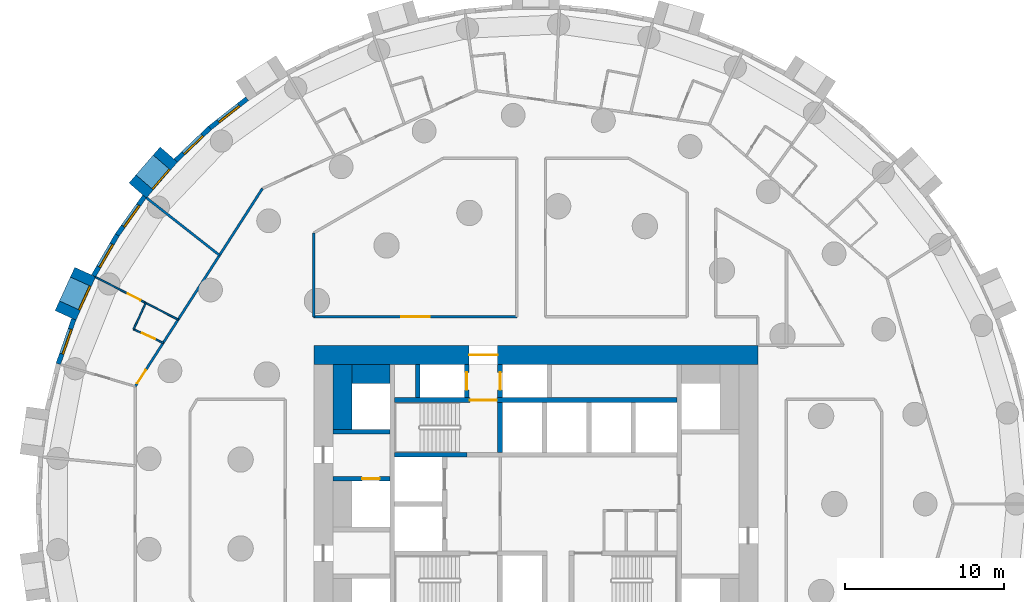
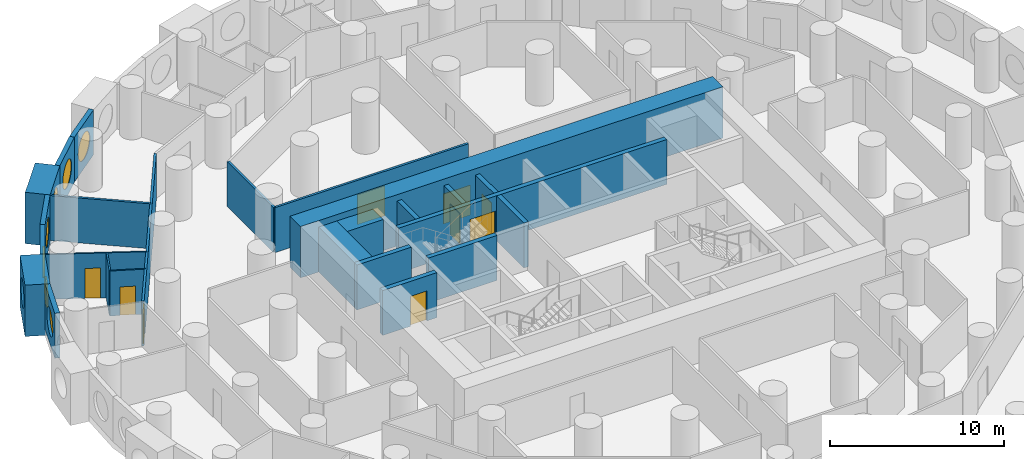
# One storey, part 7 of 12: 26 walls, 9 doors, 7 windows, 16 openings.
"""IFC4 building model written with IfcOpenShell, lengths in metres."""

from ifc_helpers import new_model, si_unit, direction, frame, frame_2d, origin, origin_2d, place, context, subcontext, project, spatial, rectangle, circle, extrude, material, layer, layer_set, type_object, element, fill, save


model = new_model("IFC4")

# Units and contexts
model_context = context("Model", 3, precision=1e-05, world=origin(), true_north=direction((0.0, 1.0)))
body_context = subcontext(model_context, "Body", "Model", "MODEL_VIEW")
ifc_project = project(units=[si_unit("LENGTHUNIT", "METRE"), si_unit("AREAUNIT", "SQUARE_METRE"), si_unit("VOLUMEUNIT", "CUBIC_METRE"), si_unit("PLANEANGLEUNIT", "RADIAN"), si_unit("MASSUNIT", "GRAM", prefix="KILO")], contexts=[model_context])

# Site, building, storey
site_placement = place(None, origin())
site = spatial("IfcSite", under=ifc_project, at=site_placement, CompositionType="ELEMENT")
building_placement = place(site_placement, origin())
building = spatial("IfcBuilding", under=site, at=building_placement, Name="Tracery Tower", CompositionType="ELEMENT")
storey_placement = place(building_placement, frame((0.0, 0.0, 49.800048828125)))
storey = spatial("IfcBuildingStorey", under=building, at=storey_placement, Name="L11", CompositionType="ELEMENT", Elevation=49.800048828125)

# Walls
ifc_material_1 = material(Name="Concrete C60/75", Category="concrete")
ifc_layer_1 = layer(ifc_material_1, 1.199951171875)
ifc_layer_set_1 = layer_set([ifc_layer_1], Name="Core strip wall 1200 C60")
wall_type_1 = type_object("IfcWallType", Name="Core strip wall 1200 C60", PredefinedType="SOLIDWALL", material=ifc_layer_set_1)
wall_1_placement = place(storey_placement, frame((-12.199951171875, 4.699951171875, 0.0), z_axis=(0.0, 0.0, 1.0), x_axis=(0.0, 1.0, 0.0)))
element("IfcWall", 1, at=wall_1_placement, inside=storey, type_object=wall_type_1, Name="L11 wing strip -1 4.55", PredefinedType="SOLIDWALL", context=body_context, shape_type="SweptSolid", body=[
    extrude(rectangle(XDim=4.10009765625, YDim=1.199951171875, at=frame_2d((2.050048828125, 0.0))), origin(), (0.0, 0.0, 1.0), 3.14990234375),
])
wall_2_placement = place(storey_placement, frame((-11.60009765625, 8.199951171875, 0.0), z_axis=(0.0, 0.0, 1.0), x_axis=(1.0, 0.0, 0.0)))
element("IfcWall", 2, at=wall_2_placement, inside=storey, type_object=wall_type_1, Name="L11 wing corner -1 +8.2", PredefinedType="SOLIDWALL", context=body_context, shape_type="SweptSolid", body=[
    extrude(rectangle(XDim=2.400146484375, YDim=1.199951171875, at=frame_2d((1.2001953125, 0.0))), origin(), (0.0, 0.0, 1.0), 3.14990234375),
])

# Wall, opening, door
ifc_material_2 = material(Name="Concrete C60/75", Category="concrete")
ifc_layer_2 = layer(ifc_material_2, 1.199951171875)
ifc_layer_set_2 = layer_set([ifc_layer_2], Name="Core wall 1200 C60")
wall_type_2 = type_object("IfcWallType", Name="Core wall 1200 C60", PredefinedType="SOLIDWALL", material=ifc_layer_set_2)
wall_3_placement = place(storey_placement, frame((-14.0, 9.39990234375, 0.0), z_axis=(0.0, 0.0, 1.0), x_axis=(1.0, 0.0, 0.0)))
wall_3 = element("IfcWall", 3, at=wall_3_placement, inside=storey, type_object=wall_type_2, Name="L11 outer N", PredefinedType="SOLIDWALL", context=body_context, shape_type="SweptSolid", body=[
    extrude(rectangle(XDim=28.0, YDim=1.199951171875, at=frame_2d((14.0, 0.0))), origin(), (0.0, 0.0, 1.0), 3.599853515625),
])
opening_1_placement = place(wall_3_placement, frame((9.800048828125, 0.0, 0.0)))
opening_1 = element("IfcOpeningElement", 4, at=opening_1_placement, cuts=wall_3, Name="Opening KD13", PredefinedType="OPENING", context=body_context, shape_type="SweptSolid", body=[
    extrude(rectangle(XDim=1.800048828125, YDim=2.10009765625, at=frame_2d((0.89990234375, 1.050048828125))), frame((0.0, 0.60009765625, 0.0), z_axis=(0.0, -1.0, 0.0), x_axis=(1.0, 0.0, 0.0)), (0.0, 0.0, 1.0), 1.199951171875),
])
ifc_material_3 = material(Name="Steel fire door", Category="steel")
door_type_1 = type_object("IfcDoorType", Name="Core exit door 1800 double", OperationType="NOTDEFINED", PredefinedType="DOOR", material=ifc_material_3)
door_1_placement = place(opening_1_placement, origin())
door_1 = element("IfcDoor", 5, at=door_1_placement, inside=storey, type_object=door_type_1, Name="Core exit door", OperationType="DOUBLE_DOOR_SINGLE_SWING", OverallHeight=2.10009765625, OverallWidth=1.800048828125, PredefinedType="DOOR", context=body_context, shape_type="SweptSolid", body=[
    extrude(rectangle(XDim=1.800048828125, YDim=2.10009765625, at=frame_2d((0.89990234375, 1.050048828125))), frame((0.0, 0.02490234375, 0.0), z_axis=(0.0, -1.0, 0.0), x_axis=(1.0, 0.0, 0.0)), (0.0, 0.0, 1.0), 0.050048828125),
])
fill(opening_1, door_1)

# Wall, opening, window
ifc_material_4 = material(Name="Precast concrete C50/60", Category="concrete")
ifc_layer_3 = layer(ifc_material_4, 1.449951171875)
ifc_layer_set_3 = layer_set([ifc_layer_3], Name="Deep-set bay unit 3000 x 3600, slab edge 450")
wall_type_3 = type_object("IfcWallType", Name="Deep-set bay unit 3000 x 3600, slab edge 450", PredefinedType="ELEMENTEDWALL", material=ifc_layer_set_3)
wall_4_placement = place(storey_placement, frame((-23.13671875, 22.03271484375, -0.449951171875), z_axis=(0.0, 0.0, 1.0), x_axis=(-0.654890259022, -0.75572398972, 0.0)))
wall_4 = element("IfcWall", 6, at=wall_4_placement, inside=storey, type_object=wall_type_3, Name="Deep-set bay unit 26 at L11", PredefinedType="ELEMENTEDWALL", context=body_context, shape_type="SweptSolid", body=[
    extrude(rectangle(XDim=3.0, YDim=1.449951171875, at=frame_2d((1.5, 0.0))), origin(), (0.0, 0.0, 1.0), 3.599853515625),
])
opening_2_placement = place(wall_4_placement, frame((1.5, 0.0, 2.0)))
opening_2 = element("IfcOpeningElement", 7, at=opening_2_placement, cuts=wall_4, Name="Opening WN1", PredefinedType="OPENING", context=body_context, shape_type="SweptSolid", body=[
    extrude(circle(Radius=0.9000244140625, at=origin_2d()), frame((0.0, 0.73486328125, 0.0), z_axis=(0.0, -1.0, 0.0), x_axis=(1.0, 0.0, 0.0)), (0.0, 0.0, 1.0), 1.469970703125),
])
ifc_material_5 = material(Name="Aluminium frame with tinted double glazing", Category="aluminium")
window_type = type_object("IfcWindowType", Name="Round window 1800", PartitioningType="SINGLE_PANEL", PredefinedType="WINDOW", material=ifc_material_5)
window_1_placement = place(opening_2_placement, origin())
window_1 = element("IfcWindow", 8, at=window_1_placement, inside=storey, type_object=window_type, Name="Round window 26 at L11", OverallHeight=1.800048828125, OverallWidth=1.800048828125, PartitioningType="SINGLE_PANEL", PredefinedType="WINDOW", context=body_context, shape_type="SweptSolid", body=[
    extrude(circle(Radius=0.9000244140625, at=origin_2d()), frame((0.0, 0.69482421875, 0.0), z_axis=(0.0, -1.0, 0.0), x_axis=(1.0, 0.0, 0.0)), (0.0, 0.0, 1.0), 0.10009765625),
])
fill(opening_2, window_1)

wall_5_placement = place(storey_placement, frame((-28.40673828125, 14.6220703125, -0.449951171875), z_axis=(0.0, 0.0, 1.0), x_axis=(-0.415427028395, -0.909626508012, 0.0)))
wall_5 = element("IfcWall", 9, at=wall_5_placement, inside=storey, type_object=wall_type_3, Name="Deep-set bay unit 29 at L11", PredefinedType="ELEMENTEDWALL", context=body_context, shape_type="SweptSolid", body=[
    extrude(rectangle(XDim=3.000244140625, YDim=1.449951171875, at=frame_2d((1.5, 0.0))), origin(), (0.0, 0.0, 1.0), 3.599853515625),
])
opening_3_placement = place(wall_5_placement, frame((1.5, 0.0, 2.0)))
opening_3 = element("IfcOpeningElement", 10, at=opening_3_placement, cuts=wall_5, Name="Opening WN1", PredefinedType="OPENING", context=body_context, shape_type="SweptSolid", body=[
    extrude(circle(Radius=0.9000244140625, at=origin_2d()), frame((0.0, 0.73486328125, 0.0), z_axis=(0.0, -1.0, 0.0), x_axis=(1.0, 0.0, 0.0)), (0.0, 0.0, 1.0), 1.469970703125),
])
window_2_placement = place(opening_3_placement, origin())
window_2 = element("IfcWindow", 11, at=window_2_placement, inside=storey, type_object=window_type, Name="Round window 29 at L11", OverallHeight=1.800048828125, OverallWidth=1.800048828125, PartitioningType="SINGLE_PANEL", PredefinedType="WINDOW", context=body_context, shape_type="SweptSolid", body=[
    extrude(circle(Radius=0.9000244140625, at=origin_2d()), frame((0.0, 0.69482421875, 0.0), z_axis=(0.0, -1.0, 0.0), x_axis=(1.0, 0.0, 0.0)), (0.0, 0.0, 1.0), 0.10009765625),
])
fill(opening_3, window_2)

ifc_material_6 = material(Name="Precast concrete C50/60", Category="concrete")
ifc_layer_4 = layer(ifc_material_6, 0.300048828125)
ifc_layer_set_4 = layer_set([ifc_layer_4], Name="Facade panel 3000 x 3150")
wall_type_4 = type_object("IfcWallType", Name="Facade panel 3000 x 3150", PredefinedType="SOLIDWALL", material=ifc_layer_set_4)
wall_6_placement = place(storey_placement, frame((-18.20361328125, 25.55322265625, 0.0), z_axis=(0.0, 0.0, 1.0), x_axis=(-0.786045331304, -0.618168858108, 0.0)))
wall_6 = element("IfcWall", 12, at=wall_6_placement, inside=storey, type_object=wall_type_4, Name="Facade panel 24 at L11", PredefinedType="SOLIDWALL", context=body_context, shape_type="SweptSolid", body=[
    extrude(rectangle(XDim=2.979736328125, YDim=0.300048828125, at=frame_2d((1.48974609375, 0.0))), origin(), (0.0, 0.0, 1.0), 3.14990234375),
])
opening_4_placement = place(wall_6_placement, frame((1.48974609375, 0.0, 1.5498046875)))
opening_4 = element("IfcOpeningElement", 13, at=opening_4_placement, cuts=wall_6, Name="Opening WN1", PredefinedType="OPENING", context=body_context, shape_type="SweptSolid", body=[
    extrude(circle(Radius=0.9000244140625, at=origin_2d()), frame((0.0, 0.159912109375, 0.0), z_axis=(0.0, -1.0, 0.0), x_axis=(1.0, 0.0, 0.0)), (0.0, 0.0, 1.0), 0.320068359375),
])
window_3_placement = place(opening_4_placement, origin())
window_3 = element("IfcWindow", 14, at=window_3_placement, inside=storey, type_object=window_type, Name="Round window 24 at L11", OverallHeight=1.800048828125, OverallWidth=1.800048828125, PartitioningType="SINGLE_PANEL", PredefinedType="WINDOW", context=body_context, shape_type="SweptSolid", body=[
    extrude(circle(Radius=0.9000244140625, at=origin_2d()), frame((0.0, 0.1201171875, 0.0), z_axis=(0.0, -1.0, 0.0), x_axis=(1.0, 0.0, 0.0)), (0.0, 0.0, 1.0), 0.10009765625),
])
fill(opening_4, window_3)

wall_7_placement = place(storey_placement, frame((-20.5458984375, 23.711181640625, 0.0), z_axis=(0.0, 0.0, 1.0), x_axis=(-0.723744206617, -0.690068346896, 0.0)))
wall_7 = element("IfcWall", 15, at=wall_7_placement, inside=storey, type_object=wall_type_4, Name="Facade panel 25 at L11", PredefinedType="SOLIDWALL", context=body_context, shape_type="SweptSolid", body=[
    extrude(rectangle(XDim=2.979736328125, YDim=0.300048828125, at=frame_2d((1.48974609375, 0.0))), origin(), (0.0, 0.0, 1.0), 3.14990234375),
])
opening_5_placement = place(wall_7_placement, frame((1.48974609375, 0.0, 1.5498046875)))
opening_5 = element("IfcOpeningElement", 16, at=opening_5_placement, cuts=wall_7, Name="Opening WN1", PredefinedType="OPENING", context=body_context, shape_type="SweptSolid", body=[
    extrude(circle(Radius=0.9000244140625, at=origin_2d()), frame((0.0, 0.159912109375, 0.0), z_axis=(0.0, -1.0, 0.0), x_axis=(1.0, 0.0, 0.0)), (0.0, 0.0, 1.0), 0.320068359375),
])
window_4_placement = place(opening_5_placement, origin())
window_4 = element("IfcWindow", 17, at=window_4_placement, inside=storey, type_object=window_type, Name="Round window 25 at L11", OverallHeight=1.800048828125, OverallWidth=1.800048828125, PartitioningType="SINGLE_PANEL", PredefinedType="WINDOW", context=body_context, shape_type="SweptSolid", body=[
    extrude(circle(Radius=0.9000244140625, at=origin_2d()), frame((0.0, 0.1201171875, 0.0), z_axis=(0.0, -1.0, 0.0), x_axis=(1.0, 0.0, 0.0)), (0.0, 0.0, 1.0), 0.10009765625),
])
fill(opening_5, window_4)

wall_8_placement = place(storey_placement, frame((-24.66552734375, 19.389404296875, 0.0), z_axis=(0.0, 0.0, 1.0), x_axis=(-0.580059407678, -0.81457417315, 0.0)))
wall_8 = element("IfcWall", 18, at=wall_8_placement, inside=storey, type_object=wall_type_4, Name="Facade panel 27 at L11", PredefinedType="SOLIDWALL", context=body_context, shape_type="SweptSolid", body=[
    extrude(rectangle(XDim=2.9794921875, YDim=0.300048828125, at=frame_2d((1.48974609375, 0.0))), origin(), (0.0, 0.0, 1.0), 3.14990234375),
])
opening_6_placement = place(wall_8_placement, frame((1.48974609375, 0.0, 1.5498046875)))
opening_6 = element("IfcOpeningElement", 19, at=opening_6_placement, cuts=wall_8, Name="Opening WN1", PredefinedType="OPENING", context=body_context, shape_type="SweptSolid", body=[
    extrude(circle(Radius=0.9000244140625, at=origin_2d()), frame((0.0, 0.159912109375, 0.0), z_axis=(0.0, -1.0, 0.0), x_axis=(1.0, 0.0, 0.0)), (0.0, 0.0, 1.0), 0.320068359375),
])
window_5_placement = place(opening_6_placement, origin())
window_5 = element("IfcWindow", 20, at=window_5_placement, inside=storey, type_object=window_type, Name="Round window 27 at L11", OverallHeight=1.800048828125, OverallWidth=1.800048828125, PartitioningType="SINGLE_PANEL", PredefinedType="WINDOW", context=body_context, shape_type="SweptSolid", body=[
    extrude(circle(Radius=0.9000244140625, at=origin_2d()), frame((0.0, 0.1201171875, 0.0), z_axis=(0.0, -1.0, 0.0), x_axis=(1.0, 0.0, 0.0)), (0.0, 0.0, 1.0), 0.10009765625),
])
fill(opening_6, window_5)

wall_9_placement = place(storey_placement, frame((-26.393798828125, 16.96240234375, 0.0), z_axis=(0.0, 0.0, 1.0), x_axis=(-0.500025049464, -0.866010940986, 0.0)))
wall_9 = element("IfcWall", 21, at=wall_9_placement, inside=storey, type_object=wall_type_4, Name="Facade panel 28 at L11", PredefinedType="SOLIDWALL", context=body_context, shape_type="SweptSolid", body=[
    extrude(rectangle(XDim=2.979736328125, YDim=0.300048828125, at=frame_2d((1.48974609375, 0.0))), origin(), (0.0, 0.0, 1.0), 3.14990234375),
])
opening_7_placement = place(wall_9_placement, frame((1.48974609375, 0.0, 1.5498046875)))
opening_7 = element("IfcOpeningElement", 22, at=opening_7_placement, cuts=wall_9, Name="Opening WN1", PredefinedType="OPENING", context=body_context, shape_type="SweptSolid", body=[
    extrude(circle(Radius=0.9000244140625, at=origin_2d()), frame((0.0, 0.159912109375, 0.0), z_axis=(0.0, -1.0, 0.0), x_axis=(1.0, 0.0, 0.0)), (0.0, 0.0, 1.0), 0.320068359375),
])
window_6_placement = place(opening_7_placement, origin())
window_6 = element("IfcWindow", 23, at=window_6_placement, inside=storey, type_object=window_type, Name="Round window 28 at L11", OverallHeight=1.800048828125, OverallWidth=1.800048828125, PartitioningType="SINGLE_PANEL", PredefinedType="WINDOW", context=body_context, shape_type="SweptSolid", body=[
    extrude(circle(Radius=0.9000244140625, at=origin_2d()), frame((0.0, 0.1201171875, 0.0), z_axis=(0.0, -1.0, 0.0), x_axis=(1.0, 0.0, 0.0)), (0.0, 0.0, 1.0), 0.10009765625),
])
fill(opening_7, window_6)

wall_10_placement = place(storey_placement, frame((-29.12890625, 11.655029296875, 0.0), z_axis=(0.0, 0.0, 1.0), x_axis=(-0.327071167136, -0.944999709856, 0.0)))
wall_10 = element("IfcWall", 24, at=wall_10_placement, inside=storey, type_object=wall_type_4, Name="Facade panel 30 at L11", PredefinedType="SOLIDWALL", context=body_context, shape_type="SweptSolid", body=[
    extrude(rectangle(XDim=2.979736328125, YDim=0.300048828125, at=frame_2d((1.48974609375, 0.0))), origin(), (0.0, 0.0, 1.0), 3.14990234375),
])
opening_8_placement = place(wall_10_placement, frame((1.48974609375, 0.0, 1.5498046875)))
opening_8 = element("IfcOpeningElement", 25, at=opening_8_placement, cuts=wall_10, Name="Opening WN1", PredefinedType="OPENING", context=body_context, shape_type="SweptSolid", body=[
    extrude(circle(Radius=0.9000244140625, at=origin_2d()), frame((0.0, 0.159912109375, 0.0), z_axis=(0.0, -1.0, 0.0), x_axis=(1.0, 0.0, 0.0)), (0.0, 0.0, 1.0), 0.320068359375),
])
window_7_placement = place(opening_8_placement, origin())
window_7 = element("IfcWindow", 26, at=window_7_placement, inside=storey, type_object=window_type, Name="Round window 30 at L11", OverallHeight=1.800048828125, OverallWidth=1.800048828125, PartitioningType="SINGLE_PANEL", PredefinedType="WINDOW", context=body_context, shape_type="SweptSolid", body=[
    extrude(circle(Radius=0.9000244140625, at=origin_2d()), frame((0.0, 0.1201171875, 0.0), z_axis=(0.0, -1.0, 0.0), x_axis=(1.0, 0.0, 0.0)), (0.0, 0.0, 1.0), 0.10009765625),
])
fill(opening_8, window_7)

# Wall, opening, door
ifc_material_7 = material(Name="Plasterboard on steel studs", Category="steel")
ifc_layer_5 = layer(ifc_material_7, 0.10009765625)
ifc_layer_set_5 = layer_set([ifc_layer_5], Name="Partition 100 stud")
wall_type_5 = type_object("IfcWallType", Name="Partition 100 stud", PredefinedType="PARTITIONING", material=ifc_layer_set_5)
wall_11_placement = place(storey_placement, frame((-27.7529296875, 14.30810546875, 0.0), z_axis=(0.0, 0.0, 1.0), x_axis=(0.888816732692, -0.45826282381, 0.0)))
wall_11 = element("IfcWall", 27, at=wall_11_placement, inside=storey, type_object=wall_type_5, Name="Stud partition RA3-087", PredefinedType="PARTITIONING", context=body_context, shape_type="SweptSolid", body=[
    extrude(rectangle(XDim=3.55078125, YDim=0.10009765625, at=frame_2d((1.775390625, 0.0))), origin(), (0.0, 0.0, 1.0), 3.14990234375),
])
opening_9_placement = place(wall_11_placement, frame((2.27490234375, 0.0, 0.0)))
opening_9 = element("IfcOpeningElement", 28, at=opening_9_placement, cuts=wall_11, Name="Opening RA3-29", PredefinedType="OPENING", context=body_context, shape_type="SweptSolid", body=[
    extrude(rectangle(XDim=0.89990234375, YDim=2.10009765625, at=frame_2d((0.449951171875, 1.050048828125))), frame((0.0, 0.050048828125, 0.0), z_axis=(0.0, -1.0, 0.0), x_axis=(1.0, 0.0, 0.0)), (0.0, 0.0, 1.0), 0.10009765625),
])
ifc_material_8 = material(Name="Timber door leaf", Category="wood")
door_type_2 = type_object("IfcDoorType", Name="Door bedroom 900", OperationType="NOTDEFINED", PredefinedType="DOOR", material=ifc_material_8)
door_2_placement = place(opening_9_placement, origin())
door_2 = element("IfcDoor", 29, at=door_2_placement, inside=storey, type_object=door_type_2, Name="Bedroom door RA3-29", OperationType="SINGLE_SWING_RIGHT", OverallHeight=2.10009765625, OverallWidth=0.89990234375, PredefinedType="DOOR", context=body_context, shape_type="SweptSolid", body=[
    extrude(rectangle(XDim=0.89990234375, YDim=2.10009765625, at=frame_2d((0.449951171875, 1.050048828125))), frame((0.0, 0.02490234375, 0.0), z_axis=(0.0, -1.0, 0.0), x_axis=(1.0, 0.0, 0.0)), (0.0, 0.0, 1.0), 0.050048828125),
])
fill(opening_9, door_2)

# Wall
ifc_material_9 = material(Name="Plasterboard on steel studs", Category="steel")
ifc_layer_6 = layer(ifc_material_9, 0.10009765625)
ifc_layer_set_6 = layer_set([ifc_layer_6], Name="Partition 100 wet wall")
wall_type_6 = type_object("IfcWallType", Name="Partition 100 wet wall", PredefinedType="PARTITIONING", material=ifc_layer_set_6)
wall_12_placement = place(storey_placement, frame((-25.35791015625, 11.014892578125, 0.0), z_axis=(0.0, 0.0, 1.0), x_axis=(0.415479380762, 0.909602596831, 0.0)))
element("IfcWall", 30, at=wall_12_placement, inside=storey, type_object=wall_type_6, Name="Wet wall RA3-089", PredefinedType="PARTITIONING", context=body_context, shape_type="SweptSolid", body=[
    extrude(rectangle(XDim=1.83154296875, YDim=0.10009765625, at=frame_2d((0.915771484375, 0.0))), origin(), (0.0, 0.0, 1.0), 3.14990234375),
])

# Wall, opening, door
wall_13_placement = place(storey_placement, frame((-25.35791015625, 11.014892578125, 0.0), z_axis=(0.0, 0.0, 1.0), x_axis=(0.909620690235, -0.415439766868, 0.0)))
wall_13 = element("IfcWall", 31, at=wall_13_placement, inside=storey, type_object=wall_type_6, Name="Wet wall RA3-090", PredefinedType="PARTITIONING", context=body_context, shape_type="SweptSolid", body=[
    extrude(rectangle(XDim=2.0556640625, YDim=0.10009765625, at=frame_2d((1.02783203125, 0.0))), origin(), (0.0, 0.0, 1.0), 3.14990234375),
])
opening_10_placement = place(wall_13_placement, frame((0.577880859375, 0.0, 0.0)))
opening_10 = element("IfcOpeningElement", 32, at=opening_10_placement, cuts=wall_13, Name="Opening RA3-31", PredefinedType="OPENING", context=body_context, shape_type="SweptSolid", body=[
    extrude(rectangle(XDim=0.89990234375, YDim=2.0, at=frame_2d((0.449951171875, 1.0))), frame((0.0, 0.050048828125, 0.0), z_axis=(0.0, -1.0, 0.0), x_axis=(1.0, 0.0, 0.0)), (0.0, 0.0, 1.0), 0.10009765625),
])
ifc_material_10 = material(Name="Timber door leaf", Category="wood")
door_type_3 = type_object("IfcDoorType", Name="Door shower room 900", OperationType="NOTDEFINED", PredefinedType="DOOR", material=ifc_material_10)
door_3_placement = place(opening_10_placement, origin())
door_3 = element("IfcDoor", 33, at=door_3_placement, inside=storey, type_object=door_type_3, Name="Shower room door RA3-31", OperationType="SINGLE_SWING_RIGHT", OverallHeight=2.0, OverallWidth=0.89990234375, PredefinedType="DOOR", context=body_context, shape_type="SweptSolid", body=[
    extrude(rectangle(XDim=0.89990234375, YDim=2.0, at=frame_2d((0.449951171875, 1.0))), frame((0.0, 0.02490234375, 0.0), z_axis=(0.0, -1.0, 0.0), x_axis=(1.0, 0.0, 0.0)), (0.0, 0.0, 1.0), 0.050048828125),
])
fill(opening_10, door_3)

# Walls
wall_14_placement = place(storey_placement, frame((-24.60107421875, 12.68310546875, 0.0), z_axis=(0.0, 0.0, 1.0), x_axis=(0.888712343697, -0.458465233317, 0.0)))
element("IfcWall", 34, at=wall_14_placement, inside=storey, type_object=wall_type_6, Name="Wet wall RA3-091", PredefinedType="PARTITIONING", context=body_context, shape_type="SweptSolid", body=[
    extrude(rectangle(XDim=2.31005859375, YDim=0.10009765625, at=frame_2d((1.155029296875, 0.0))), origin(), (0.0, 0.0, 1.0), 3.14990234375),
])
ifc_material_11 = material(Name="Plasterboard on steel studs", Category="steel")
ifc_layer_7 = layer(ifc_material_11, 0.14990234375)
ifc_layer_set_7 = layer_set([ifc_layer_7], Name="Partition 150 acoustic unit wall")
wall_type_7 = type_object("IfcWallType", Name="Partition 150 acoustic unit wall", PredefinedType="PARTITIONING", material=ifc_layer_set_7)
wall_15_placement = place(storey_placement, frame((-24.5439453125, 19.302001953125, 0.0), z_axis=(0.0, 0.0, 1.0), x_axis=(0.786014513829, -0.618208042693, 0.0)))
element("IfcWall", 35, at=wall_15_placement, inside=storey, type_object=wall_type_7, Name="Unit wall RA3-086", PredefinedType="PARTITIONING", context=body_context, shape_type="SweptSolid", body=[
    extrude(rectangle(XDim=5.857421875, YDim=0.14990234375, at=frame_2d((2.9287109375, 0.0))), origin(), (0.0, 0.0, 1.0), 3.14990234375),
])

# Wall, opening, door
ifc_material_12 = material(Name="Plasterboard on steel studs", Category="steel")
ifc_layer_8 = layer(ifc_material_12, 0.14990234375)
ifc_layer_set_8 = layer_set([ifc_layer_8], Name="Partition 150 corridor wall")
wall_type_8 = type_object("IfcWallType", Name="Partition 150 corridor wall", PredefinedType="PARTITIONING", material=ifc_layer_set_8)
wall_16_placement = place(storey_placement, frame((-14.00390625, 11.800048828125, 0.0), z_axis=(0.0, 0.0, 1.0), x_axis=(1.0, 0.0, 0.0)))
wall_16 = element("IfcWall", 36, at=wall_16_placement, inside=storey, type_object=wall_type_8, Name="Corridor wall RA3-001", PredefinedType="PARTITIONING", context=body_context, shape_type="SweptSolid", body=[
    extrude(rectangle(XDim=12.81591796875, YDim=0.14990234375, at=frame_2d((6.407958984375, 0.0))), origin(), (0.0, 0.0, 1.0), 3.14990234375),
])
opening_11_placement = place(wall_16_placement, frame((5.508056640625, 0.0, 0.0)))
opening_11 = element("IfcOpeningElement", 37, at=opening_11_placement, cuts=wall_16, Name="Opening RA3-01", PredefinedType="OPENING", context=body_context, shape_type="SweptSolid", body=[
    extrude(rectangle(XDim=1.800048828125, YDim=2.10009765625, at=frame_2d((0.89990234375, 1.050048828125))), frame((0.0, 0.074951171875, 0.0), z_axis=(0.0, -1.0, 0.0), x_axis=(1.0, 0.0, 0.0)), (0.0, 0.0, 1.0), 0.14990234375),
])
ifc_material_13 = material(Name="Timber door leaf", Category="wood")
door_type_4 = type_object("IfcDoorType", Name="Door double lounge 1800", OperationType="NOTDEFINED", PredefinedType="DOOR", material=ifc_material_13)
door_4_placement = place(opening_11_placement, origin())
door_4 = element("IfcDoor", 38, at=door_4_placement, inside=storey, type_object=door_type_4, Name="Double lounge door RA3-01", OperationType="DOUBLE_DOOR_SINGLE_SWING", OverallHeight=2.10009765625, OverallWidth=1.800048828125, PredefinedType="DOOR", context=body_context, shape_type="SweptSolid", body=[
    extrude(rectangle(XDim=1.800048828125, YDim=2.10009765625, at=frame_2d((0.89990234375, 1.050048828125))), frame((0.0, 0.02490234375, 0.0), z_axis=(0.0, -1.0, 0.0), x_axis=(1.0, 0.0, 0.0)), (0.0, 0.0, 1.0), 0.050048828125),
])
fill(opening_11, door_4)

# Wall
wall_17_placement = place(storey_placement, frame((-14.0, 11.800048828125, 0.0), z_axis=(0.0, 0.0, 1.0), x_axis=(0.0, 1.0, 0.0)))
element("IfcWall", 39, at=wall_17_placement, inside=storey, type_object=wall_type_8, Name="Corridor wall RA3-028", PredefinedType="PARTITIONING", context=body_context, shape_type="SweptSolid", body=[
    extrude(rectangle(XDim=5.2919921875, YDim=0.14990234375, at=frame_2d((2.64599609375, 0.0))), origin(), (0.0, 0.0, 1.0), 3.14990234375),
])

# Wall, opening, door
wall_18_placement = place(storey_placement, frame((-25.2548828125, 7.416259765625, 0.0), z_axis=(0.0, 0.0, 1.0), x_axis=(0.540805851332, 0.841147449123, 0.0)))
wall_18 = element("IfcWall", 40, at=wall_18_placement, inside=storey, type_object=wall_type_8, Name="Corridor wall RA3-037", PredefinedType="PARTITIONING", context=body_context, shape_type="SweptSolid", body=[
    extrude(rectangle(XDim=14.829345703125, YDim=0.14990234375, at=frame_2d((7.41455078125, 0.0))), origin(), (0.0, 0.0, 1.0), 3.14990234375),
])
opening_12_placement = place(wall_18_placement, frame((0.23388671875, 0.0, 0.0)))
opening_12 = element("IfcOpeningElement", 41, at=opening_12_placement, cuts=wall_18, Name="Opening RA3-32", PredefinedType="OPENING", context=body_context, shape_type="SweptSolid", body=[
    extrude(rectangle(XDim=1.0, YDim=2.10009765625, at=frame_2d((0.5, 1.050048828125))), frame((0.0, 0.074951171875, 0.0), z_axis=(0.0, -1.0, 0.0), x_axis=(1.0, 0.0, 0.0)), (0.0, 0.0, 1.0), 0.14990234375),
])
ifc_material_14 = material(Name="Timber door leaf", Category="wood")
door_type_5 = type_object("IfcDoorType", Name="Door unit entrance 1000", OperationType="NOTDEFINED", PredefinedType="DOOR", material=ifc_material_14)
door_5_placement = place(opening_12_placement, origin())
door_5 = element("IfcDoor", 42, at=door_5_placement, inside=storey, type_object=door_type_5, Name="Unit entrance door RA3-32", OperationType="SINGLE_SWING_LEFT", OverallHeight=2.10009765625, OverallWidth=1.0, PredefinedType="DOOR", context=body_context, shape_type="SweptSolid", body=[
    extrude(rectangle(XDim=1.0, YDim=2.10009765625, at=frame_2d((0.5, 1.050048828125))), frame((0.0, 0.02490234375, 0.0), z_axis=(0.0, -1.0, 0.0), x_axis=(1.0, 0.0, 0.0)), (0.0, 0.0, 1.0), 0.050048828125),
])
fill(opening_12, door_5)

# Wall
ifc_material_15 = material(Name="Concrete C60/75", Category="concrete")
ifc_layer_9 = layer(ifc_material_15, 0.300048828125)
ifc_layer_set_9 = layer_set([ifc_layer_9], Name="Shaft wall 300 C60")
wall_type_9 = type_object("IfcWallType", Name="Shaft wall 300 C60", PredefinedType="SOLIDWALL", material=ifc_layer_set_9)
wall_19_placement = place(storey_placement, frame((-7.449951171875, 6.699951171875, 0.0), z_axis=(0.0, 0.0, 1.0), x_axis=(0.0, 1.0, 0.0)))
element("IfcWall", 43, at=wall_19_placement, inside=storey, type_object=wall_type_9, Name="L11 LR sep -7.45", PredefinedType="SOLIDWALL", context=body_context, shape_type="SweptSolid", body=[
    extrude(rectangle(XDim=2.10009765625, YDim=0.300048828125, at=frame_2d((1.050048828125, 0.0))), origin(), (0.0, 0.0, 1.0), 3.14990234375),
])

# Wall, opening, door
wall_20_placement = place(storey_placement, frame((-4.35009765625, 6.699951171875, 0.0), z_axis=(0.0, 0.0, 1.0), x_axis=(0.0, 1.0, 0.0)))
wall_20 = element("IfcWall", 44, at=wall_20_placement, inside=storey, type_object=wall_type_9, Name="L11 LR sep -4.35", PredefinedType="SOLIDWALL", context=body_context, shape_type="SweptSolid", body=[
    extrude(rectangle(XDim=2.10009765625, YDim=0.300048828125, at=frame_2d((1.050048828125, 0.0))), origin(), (0.0, 0.0, 1.0), 3.14990234375),
])
opening_13_placement = place(wall_20_placement, frame((0.5, 0.0, 0.0)))
opening_13 = element("IfcOpeningElement", 45, at=opening_13_placement, cuts=wall_20, Name="Opening KD50", PredefinedType="OPENING", context=body_context, shape_type="SweptSolid", body=[
    extrude(rectangle(XDim=1.10009765625, YDim=2.10009765625, at=frame_2d((0.550048828125, 1.050048828125))), frame((0.0, 0.14990234375, 0.0), z_axis=(0.0, -1.0, 0.0), x_axis=(1.0, 0.0, 0.0)), (0.0, 0.0, 1.0), 0.300048828125),
])
ifc_material_16 = material(Name="Steel fire door", Category="steel")
door_type_6 = type_object("IfcDoorType", Name="Landing door 1100", OperationType="NOTDEFINED", PredefinedType="DOOR", material=ifc_material_16)
door_6_placement = place(opening_13_placement, origin())
door_6 = element("IfcDoor", 46, at=door_6_placement, inside=storey, type_object=door_type_6, Name="Landing door LR3", OperationType="SLIDING_TO_RIGHT", OverallHeight=2.10009765625, OverallWidth=1.10009765625, PredefinedType="DOOR", context=body_context, shape_type="SweptSolid", body=[
    extrude(rectangle(XDim=1.10009765625, YDim=2.10009765625, at=frame_2d((0.550048828125, 1.050048828125))), frame((0.0, 0.02490234375, 0.0), z_axis=(0.0, -1.0, 0.0), x_axis=(1.0, 0.0, 0.0)), (0.0, 0.0, 1.0), 0.050048828125),
])
fill(opening_13, door_6)

# Wall
wall_21_placement = place(storey_placement, frame((-12.800048828125, 4.550048828125, 0.0), z_axis=(0.0, 0.0, 1.0), x_axis=(1.0, 0.0, 0.0)))
element("IfcWall", 47, at=wall_21_placement, inside=storey, type_object=wall_type_9, Name="L11 wing shaft wall -1 +4.55", PredefinedType="SOLIDWALL", context=body_context, shape_type="SweptSolid", body=[
    extrude(rectangle(XDim=3.60009765625, YDim=0.300048828125, at=frame_2d((1.800048828125, 0.0))), origin(), (0.0, 0.0, 1.0), 3.14990234375),
])

# Wall, opening, door
wall_22_placement = place(storey_placement, frame((-12.800048828125, 1.60009765625, 0.0), z_axis=(0.0, 0.0, 1.0), x_axis=(1.0, 0.0, 0.0)))
wall_22 = element("IfcWall", 48, at=wall_22_placement, inside=storey, type_object=wall_type_9, Name="L11 wing shaft wall -1 +1.60", PredefinedType="SOLIDWALL", context=body_context, shape_type="SweptSolid", body=[
    extrude(rectangle(XDim=3.60009765625, YDim=0.300048828125, at=frame_2d((1.800048828125, 0.0))), origin(), (0.0, 0.0, 1.0), 3.14990234375),
])
opening_14_placement = place(wall_22_placement, frame((1.85009765625, 0.0, 0.0)))
opening_14 = element("IfcOpeningElement", 49, at=opening_14_placement, cuts=wall_22, Name="Opening KD50", PredefinedType="OPENING", context=body_context, shape_type="SweptSolid", body=[
    extrude(rectangle(XDim=1.10009765625, YDim=2.10009765625, at=frame_2d((0.550048828125, 1.050048828125))), frame((0.0, 0.14990234375, 0.0), z_axis=(0.0, -1.0, 0.0), x_axis=(1.0, 0.0, 0.0)), (0.0, 0.0, 1.0), 0.300048828125),
])
door_7_placement = place(opening_14_placement, origin())
door_7 = element("IfcDoor", 50, at=door_7_placement, inside=storey, type_object=door_type_6, Name="Landing door LR1", OperationType="SLIDING_TO_RIGHT", OverallHeight=2.10009765625, OverallWidth=1.10009765625, PredefinedType="DOOR", context=body_context, shape_type="SweptSolid", body=[
    extrude(rectangle(XDim=1.10009765625, YDim=2.10009765625, at=frame_2d((0.550048828125, 1.050048828125))), frame((0.0, 0.02490234375, 0.0), z_axis=(0.0, -1.0, 0.0), x_axis=(1.0, 0.0, 0.0)), (0.0, 0.0, 1.0), 0.050048828125),
])
fill(opening_14, door_7)

# Walls
ifc_material_17 = material(Name="Concrete C60/75", Category="concrete")
ifc_layer_10 = layer(ifc_material_17, 0.300048828125)
ifc_layer_set_10 = layer_set([ifc_layer_10], Name="Stair wall 300 C60")
wall_type_10 = type_object("IfcWallType", Name="Stair wall 300 C60", PredefinedType="SOLIDWALL", material=ifc_layer_set_10)
wall_23_placement = place(storey_placement, frame((-8.89990234375, 3.10009765625, 0.0), z_axis=(0.0, 0.0, 1.0), x_axis=(1.0, 0.0, 0.0)))
element("IfcWall", 51, at=wall_23_placement, inside=storey, type_object=wall_type_10, Name="L11 row N W", PredefinedType="SOLIDWALL", context=body_context, shape_type="SweptSolid", body=[
    extrude(rectangle(XDim=4.5498046875, YDim=0.300048828125, at=frame_2d((2.27490234375, 0.0))), origin(), (0.0, 0.0, 1.0), 3.14990234375),
])
wall_24_placement = place(storey_placement, frame((-2.25, 3.25, 0.0), z_axis=(0.0, 0.0, 1.0), x_axis=(0.0, 1.0, 0.0)))
element("IfcWall", 52, at=wall_24_placement, inside=storey, type_object=wall_type_10, Name="L11 ST3 E", PredefinedType="SOLIDWALL", context=body_context, shape_type="SweptSolid", body=[
    extrude(rectangle(XDim=3.14990234375, YDim=0.300048828125, at=frame_2d((1.574951171875, 0.0))), origin(), (0.0, 0.0, 1.0), 3.14990234375),
])

# Wall, opening, door
wall_25_placement = place(storey_placement, frame((-8.89990234375, 6.550048828125, 0.0), z_axis=(0.0, 0.0, 1.0), x_axis=(1.0, 0.0, 0.0)))
wall_25 = element("IfcWall", 53, at=wall_25_placement, inside=storey, type_object=wall_type_10, Name="L11 F N", PredefinedType="SOLIDWALL", context=body_context, shape_type="SweptSolid", body=[
    extrude(rectangle(XDim=17.7998046875, YDim=0.300048828125, at=frame_2d((8.89990234375, 0.0))), origin(), (0.0, 0.0, 1.0), 3.14990234375),
])
opening_15_placement = place(wall_25_placement, frame((4.75, 0.0, 0.0)))
opening_15 = element("IfcOpeningElement", 54, at=opening_15_placement, cuts=wall_25, Name="Opening KD3", PredefinedType="OPENING", context=body_context, shape_type="SweptSolid", body=[
    extrude(rectangle(XDim=1.699951171875, YDim=2.10009765625, at=frame_2d((0.85009765625, 1.050048828125))), frame((0.0, 0.14990234375, 0.0), z_axis=(0.0, -1.0, 0.0), x_axis=(1.0, 0.0, 0.0)), (0.0, 0.0, 1.0), 0.300048828125),
])
ifc_material_18 = material(Name="Steel fire door", Category="steel")
door_type_7 = type_object("IfcDoorType", Name="Core stair door 1700 double", OperationType="NOTDEFINED", PredefinedType="DOOR", material=ifc_material_18)
door_8_placement = place(opening_15_placement, origin())
door_8 = element("IfcDoor", 55, at=door_8_placement, inside=storey, type_object=door_type_7, Name="Stair door ST3 N", OperationType="DOUBLE_DOOR_SINGLE_SWING", OverallHeight=2.10009765625, OverallWidth=1.699951171875, PredefinedType="DOOR", context=body_context, shape_type="SweptSolid", body=[
    extrude(rectangle(XDim=1.699951171875, YDim=2.10009765625, at=frame_2d((0.85009765625, 1.050048828125))), frame((0.0, 0.02490234375, 0.0), z_axis=(0.0, -1.0, 0.0), x_axis=(1.0, 0.0, 0.0)), (0.0, 0.0, 1.0), 0.050048828125),
])
fill(opening_15, door_8)

wall_26_placement = place(storey_placement, frame((-2.25, 6.699951171875, 0.0), z_axis=(0.0, 0.0, 1.0), x_axis=(0.0, 1.0, 0.0)))
wall_26 = element("IfcWall", 56, at=wall_26_placement, inside=storey, type_object=wall_type_10, Name="L11 ST3 E out", PredefinedType="SOLIDWALL", context=body_context, shape_type="SweptSolid", body=[
    extrude(rectangle(XDim=2.10009765625, YDim=0.300048828125, at=frame_2d((1.050048828125, 0.0))), origin(), (0.0, 0.0, 1.0), 3.14990234375),
])
opening_16_placement = place(wall_26_placement, frame((0.5, 0.0, 0.0)))
opening_16 = element("IfcOpeningElement", 57, at=opening_16_placement, cuts=wall_26, Name="Opening KD49", PredefinedType="OPENING", context=body_context, shape_type="SweptSolid", body=[
    extrude(rectangle(XDim=1.10009765625, YDim=2.10009765625, at=frame_2d((0.550048828125, 1.050048828125))), frame((0.0, 0.14990234375, 0.0), z_axis=(0.0, -1.0, 0.0), x_axis=(1.0, 0.0, 0.0)), (0.0, 0.0, 1.0), 0.300048828125),
])
door_9_placement = place(opening_16_placement, origin())
door_9 = element("IfcDoor", 58, at=door_9_placement, inside=storey, type_object=door_type_6, Name="Landing door LR2", OperationType="SLIDING_TO_LEFT", OverallHeight=2.10009765625, OverallWidth=1.10009765625, PredefinedType="DOOR", context=body_context, shape_type="SweptSolid", body=[
    extrude(rectangle(XDim=1.10009765625, YDim=2.10009765625, at=frame_2d((0.550048828125, 1.050048828125))), frame((0.0, 0.02490234375, 0.0), z_axis=(0.0, -1.0, 0.0), x_axis=(1.0, 0.0, 0.0)), (0.0, 0.0, 1.0), 0.050048828125),
])
fill(opening_16, door_9)

save(model, "model.ifc")
